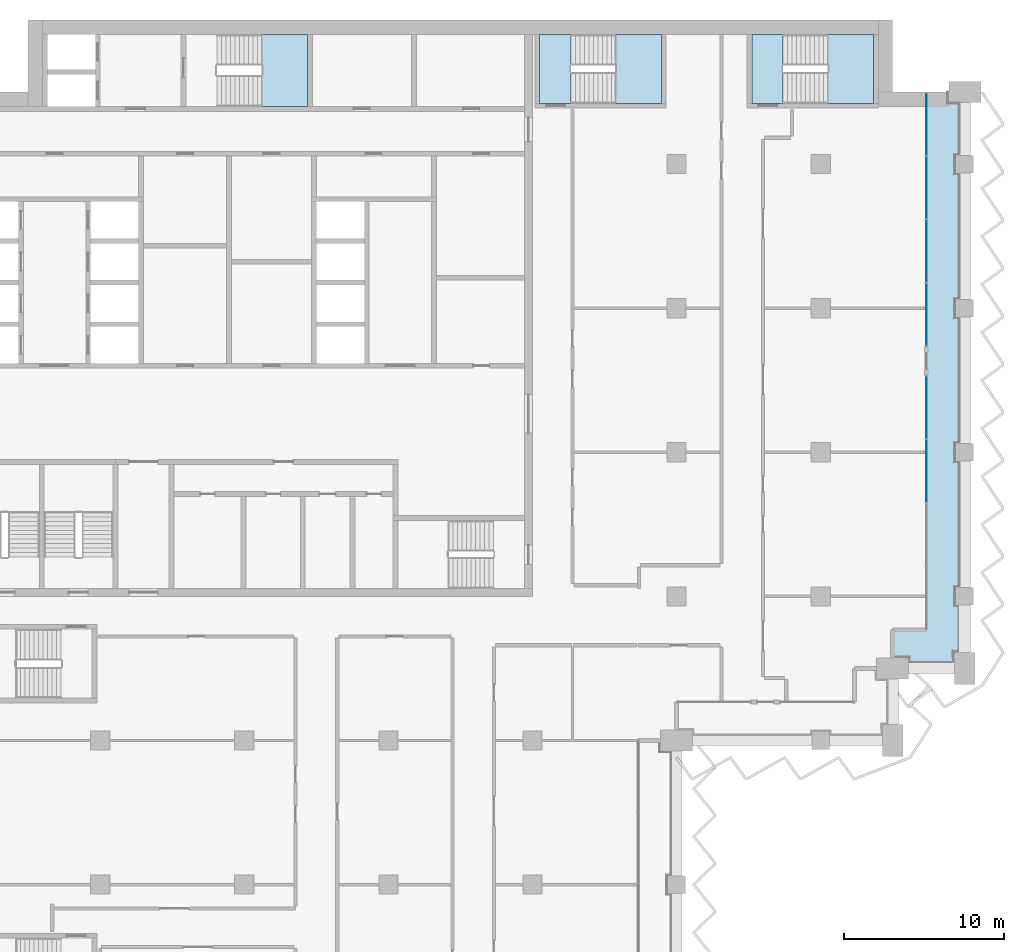
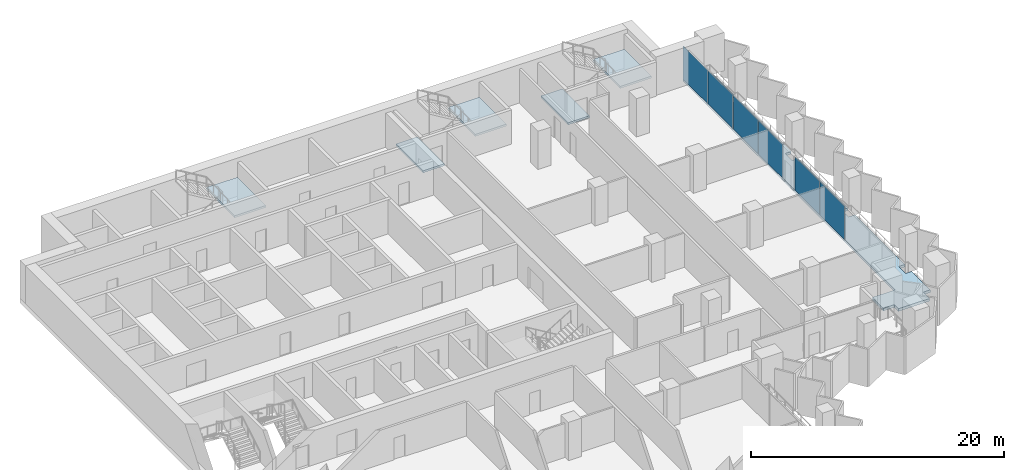
# One storey, part 9 of 23: 6 plates, 6 slabs, 5 elements without a shape of their own.
"""IFC4 building model written with IfcOpenShell, lengths in metres."""

from ifc_helpers import new_model, si_unit, direction, frame, origin, origin_2d, place, context, subcontext, project, spatial, polyline, rectangle, outline, extrude, material, layer, layer_set, type_object, element, aggregate, save


model = new_model("IFC4")

# Units and contexts
model_context = context("Model", 3, precision=1e-05, world=origin(), true_north=direction((0.0, 1.0)))
body_context = subcontext(model_context, "Body", "Model", "MODEL_VIEW")
ifc_project = project(units=[si_unit("LENGTHUNIT", "METRE"), si_unit("AREAUNIT", "SQUARE_METRE"), si_unit("VOLUMEUNIT", "CUBIC_METRE"), si_unit("PLANEANGLEUNIT", "RADIAN"), si_unit("MASSUNIT", "GRAM", prefix="KILO")], contexts=[model_context])

# Site, building, storey
site_placement = place(None, origin())
site = spatial("IfcSite", under=ifc_project, at=site_placement, CompositionType="ELEMENT")
building_placement = place(site_placement, origin())
building = spatial("IfcBuilding", under=site, at=building_placement, Name="Hunhe Ridgeline Campus", CompositionType="ELEMENT")
storey_placement = place(building_placement, frame((0.0, 0.0, 170.800048828125)))
storey = spatial("IfcBuildingStorey", under=building, at=storey_placement, Name="L43", CompositionType="ELEMENT", Elevation=170.800048828125)

# Curtain wall, plates
ifc_material_1 = material(Name="Aluminium 6063", Category="aluminium")
curtain_wall_type = type_object("IfcCurtainWallType", Name="Curtain wall CW-1", PredefinedType="NOTDEFINED", material=ifc_material_1)
curtain_wall_1_placement = place(storey_placement, origin())
curtain_wall_1 = element("IfcCurtainWall", 1, at=curtain_wall_1_placement, inside=storey, type_object=curtain_wall_type, Name="Curtain wall 14", PredefinedType="NOTDEFINED")
ifc_material_2 = material(Name="Low-e laminated glass", Category="glass")
ifc_layer_1 = layer(ifc_material_2, 0.028076171875)
ifc_layer_set_1 = layer_set([ifc_layer_1], Name="Curtain wall glass panel 28 low-e laminated")
plate_type = type_object("IfcPlateType", Name="Curtain wall glass panel 28 low-e laminated", PredefinedType="CURTAIN_PANEL", material=ifc_layer_set_1)
plate_1_placement = place(storey_placement, frame((60.59912109375, 70.838134765625, 0.0), z_axis=(0.0, 0.0, 1.0), x_axis=(0.0, 1.0, 0.0)))
plate_1 = element("IfcPlate", 2, at=plate_1_placement, type_object=plate_type, Name="CW-1 panel 3", PredefinedType="CURTAIN_PANEL", context=body_context, shape_type="SweptSolid", body=[
    extrude(rectangle(XDim=3.914794921875, YDim=0.028076171875, at=origin_2d()), origin(), (0.0, 0.0, 1.0), 3.239990234375),
])
plate_2_placement = place(storey_placement, frame((60.59912109375, 74.798095703125, 0.0), z_axis=(0.0, 0.0, 1.0), x_axis=(0.0, 1.0, 0.0)))
plate_2 = element("IfcPlate", 3, at=plate_2_placement, type_object=plate_type, Name="CW-1 panel 4", PredefinedType="CURTAIN_PANEL", context=body_context, shape_type="SweptSolid", body=[
    extrude(rectangle(XDim=3.884765625, YDim=0.028076171875, at=origin_2d()), origin(), (0.0, 0.0, 1.0), 3.239990234375),
])
aggregate(curtain_wall_1, [plate_1, plate_2])

curtain_wall_2_placement = place(storey_placement, origin())
curtain_wall_2 = element("IfcCurtainWall", 4, at=curtain_wall_2_placement, inside=storey, type_object=curtain_wall_type, Name="Curtain wall 15", PredefinedType="NOTDEFINED")
plate_3_placement = place(storey_placement, frame((60.59912109375, 80.60302734375, 0.0), z_axis=(0.0, 0.0, 1.0), x_axis=(0.0, 1.0, 0.0)))
plate_3 = element("IfcPlate", 5, at=plate_3_placement, type_object=plate_type, Name="CW-1 panel 1", PredefinedType="CURTAIN_PANEL", context=body_context, shape_type="SweptSolid", body=[
    extrude(rectangle(XDim=3.884765625, YDim=0.028076171875, at=origin_2d()), origin(), (0.0, 0.0, 1.0), 3.239990234375),
])
plate_4_placement = place(storey_placement, frame((60.59912109375, 84.562744140625, 0.0), z_axis=(0.0, 0.0, 1.0), x_axis=(0.0, 1.0, 0.0)))
plate_4 = element("IfcPlate", 6, at=plate_4_placement, type_object=plate_type, Name="CW-1 panel 2", PredefinedType="CURTAIN_PANEL", context=body_context, shape_type="SweptSolid", body=[
    extrude(rectangle(XDim=3.914794921875, YDim=0.028076171875, at=origin_2d()), origin(), (0.0, 0.0, 1.0), 3.239990234375),
])
plate_5_placement = place(storey_placement, frame((60.59912109375, 88.53759765625, 0.0), z_axis=(0.0, 0.0, 1.0), x_axis=(0.0, 1.0, 0.0)))
plate_5 = element("IfcPlate", 7, at=plate_5_placement, type_object=plate_type, Name="CW-1 panel 3", PredefinedType="CURTAIN_PANEL", context=body_context, shape_type="SweptSolid", body=[
    extrude(rectangle(XDim=3.914794921875, YDim=0.028076171875, at=origin_2d()), origin(), (0.0, 0.0, 1.0), 3.239990234375),
])
plate_6_placement = place(storey_placement, frame((60.59912109375, 92.49755859375, 0.0), z_axis=(0.0, 0.0, 1.0), x_axis=(0.0, 1.0, 0.0)))
plate_6 = element("IfcPlate", 8, at=plate_6_placement, type_object=plate_type, Name="CW-1 panel 4", PredefinedType="CURTAIN_PANEL", context=body_context, shape_type="SweptSolid", body=[
    extrude(rectangle(XDim=3.884765625, YDim=0.028076171875, at=origin_2d()), origin(), (0.0, 0.0, 1.0), 3.239990234375),
])
aggregate(curtain_wall_2, [plate_3, plate_4, plate_5, plate_6])

# Slab
ifc_material_3 = material(Name="Concrete C40", Category="concrete")
ifc_layer_2 = layer(ifc_material_3, 0.25)
ifc_layer_set_2 = layer_set([ifc_layer_2], Name="Loggia slab 250 Concrete C40")
slab_type_1 = type_object("IfcSlabType", Name="Loggia slab 250 Concrete C40", PredefinedType="FLOOR", material=ifc_layer_set_2)
slab_1_placement = place(storey_placement, frame((0.0, 0.0, -0.25)))
element("IfcSlab", 9, at=slab_1_placement, inside=storey, type_object=slab_type_1, Name="Loggia slab 3", PredefinedType="FLOOR", context=body_context, shape_type="SweptSolid", body=[
    extrude(outline(polyline([(58.5, 59.14990234375), (59.5, 59.14990234375), (59.5, 58.5), (62.35009765625, 58.5), (62.35009765625, 59.5), (63.0, 59.5), (63.0, 62.449951171875), (62.449951171875, 62.449951171875), (62.449951171875, 63.550048828125), (63.0, 63.550048828125), (63.0, 71.449951171875), (62.449951171875, 71.449951171875), (62.449951171875, 72.550048828125), (63.0, 72.550048828125), (63.0, 80.449951171875), (62.449951171875, 80.449951171875), (62.449951171875, 81.550048828125), (63.0, 81.550048828125), (63.0, 89.449951171875), (62.449951171875, 89.449951171875), (62.449951171875, 90.550048828125), (63.0, 90.550048828125), (63.0, 93.85009765625), (62.0, 93.85009765625), (62.0, 94.5), (60.60009765625, 94.5), (60.60009765625, 60.89990234375), (58.5, 60.89990234375), (58.5, 59.14990234375)])), origin(), (0.0, 0.0, 1.0), 0.25),
])

# Stair, slab
stair_type = type_object("IfcStairType", Name="Reinforced concrete dog-leg stair 1950 Concrete C40", PredefinedType="HALF_TURN_STAIR", material=ifc_material_3)
stair_1_placement = place(storey_placement, origin())
stair_1 = element("IfcStair", 10, at=stair_1_placement, inside=storey, type_object=stair_type, Name="L43 S1", PredefinedType="HALF_TURN_STAIR")
ifc_layer_3 = layer(ifc_material_3, 0.199951171875)
ifc_layer_set_3 = layer_set([ifc_layer_3], Name="Reinforced concrete stair landing 200 Concrete C40")
slab_type_2 = type_object("IfcSlabType", Name="Reinforced concrete stair landing 200 Concrete C40", PredefinedType="LANDING", material=ifc_layer_set_3)
slab_2_placement = place(storey_placement, frame((0.0, 0.0, 1.64990234375)))
slab_2 = element("IfcSlab", 11, at=slab_2_placement, type_object=slab_type_2, Name="ST1 landing 1", PredefinedType="LANDING", context=body_context, shape_type="SweptSolid", body=[
    extrude(outline(polyline([(19.10009765625, 93.60009765625), (21.949951171875, 93.60009765625), (21.949951171875, 98.10009765625), (19.10009765625, 98.10009765625), (19.10009765625, 93.60009765625)])), origin(), (0.0, 0.0, 1.0), 0.199951171875),
])
aggregate(stair_1, [slab_2])

stair_2_placement = place(storey_placement, origin())
stair_2 = element("IfcStair", 12, at=stair_2_placement, inside=storey, type_object=stair_type, Name="L43 E1", PredefinedType="HALF_TURN_STAIR")
slab_3_placement = place(storey_placement, frame((0.0, 0.0, 1.64990234375)))
slab_3 = element("IfcSlab", 13, at=slab_3_placement, type_object=slab_type_2, Name="ST5 landing 1", PredefinedType="LANDING", context=body_context, shape_type="SweptSolid", body=[
    extrude(outline(polyline([(41.199951171875, 93.800048828125), (44.050048828125, 93.800048828125), (44.050048828125, 98.10009765625), (41.199951171875, 98.10009765625), (41.199951171875, 93.800048828125)])), origin(), (0.0, 0.0, 1.0), 0.199951171875),
])
aggregate(stair_2, [slab_3])

# Slab
slab_4_placement = place(storey_placement, frame((0.0, 0.0, -0.199951171875)))
element("IfcSlab", 14, at=slab_4_placement, inside=storey, type_object=slab_type_2, Name="L43 stair E1 floor landing", PredefinedType="LANDING", context=body_context, shape_type="SweptSolid", body=[
    extrude(outline(polyline([(36.449951171875, 93.800048828125), (38.39990234375, 93.800048828125), (38.39990234375, 98.10009765625), (36.449951171875, 98.10009765625), (36.449951171875, 93.800048828125)])), origin(), (0.0, 0.0, 1.0), 0.199951171875),
])

# Stair, slab
stair_3_placement = place(storey_placement, origin())
stair_3 = element("IfcStair", 15, at=stair_3_placement, inside=storey, type_object=stair_type, Name="L43 E2", PredefinedType="HALF_TURN_STAIR")
slab_5_placement = place(storey_placement, frame((0.0, 0.0, 1.64990234375)))
slab_5 = element("IfcSlab", 16, at=slab_5_placement, type_object=slab_type_2, Name="ST6 landing 1", PredefinedType="LANDING", context=body_context, shape_type="SweptSolid", body=[
    extrude(outline(polyline([(54.449951171875, 93.800048828125), (57.300048828125, 93.800048828125), (57.300048828125, 98.10009765625), (54.449951171875, 98.10009765625), (54.449951171875, 93.800048828125)])), origin(), (0.0, 0.0, 1.0), 0.199951171875),
])
aggregate(stair_3, [slab_5])

# Slab
slab_6_placement = place(storey_placement, frame((0.0, 0.0, -0.199951171875)))
element("IfcSlab", 17, at=slab_6_placement, inside=storey, type_object=slab_type_2, Name="L43 stair E2 floor landing", PredefinedType="LANDING", context=body_context, shape_type="SweptSolid", body=[
    extrude(outline(polyline([(49.699951171875, 93.800048828125), (51.64990234375, 93.800048828125), (51.64990234375, 98.10009765625), (49.699951171875, 98.10009765625), (49.699951171875, 93.800048828125)])), origin(), (0.0, 0.0, 1.0), 0.199951171875),
])

save(model, "model.ifc")
